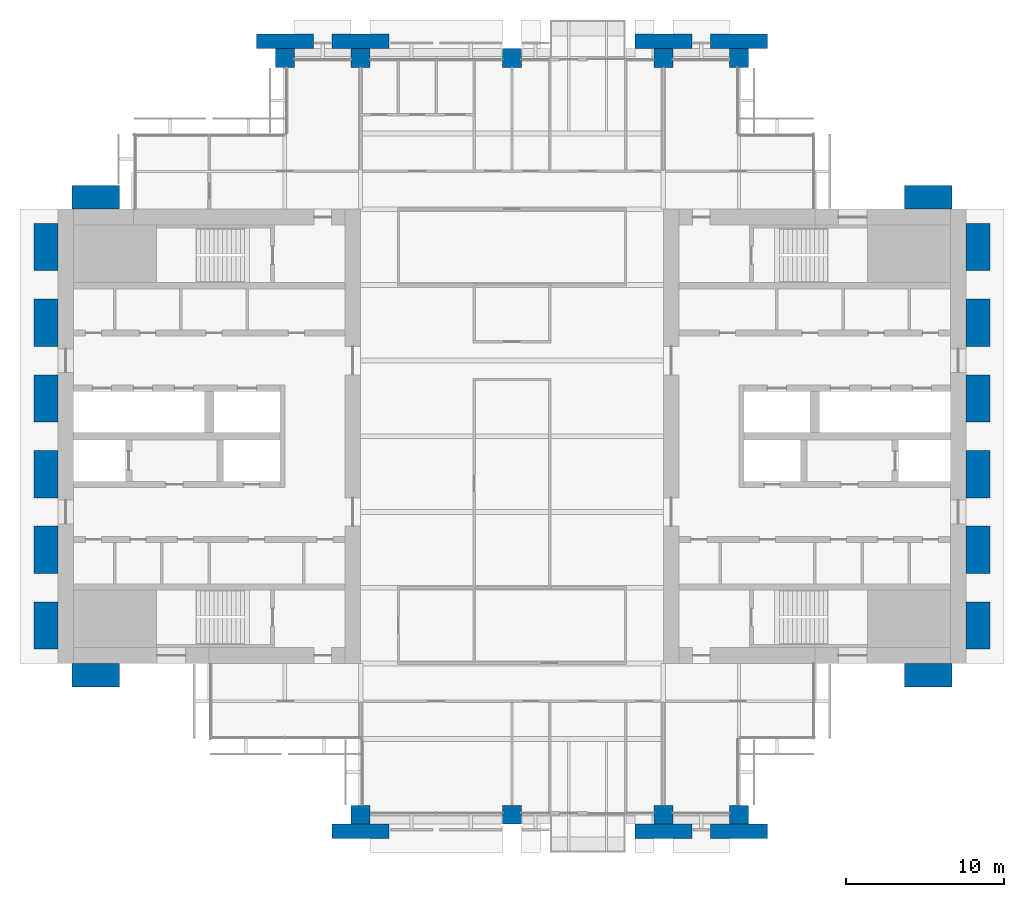
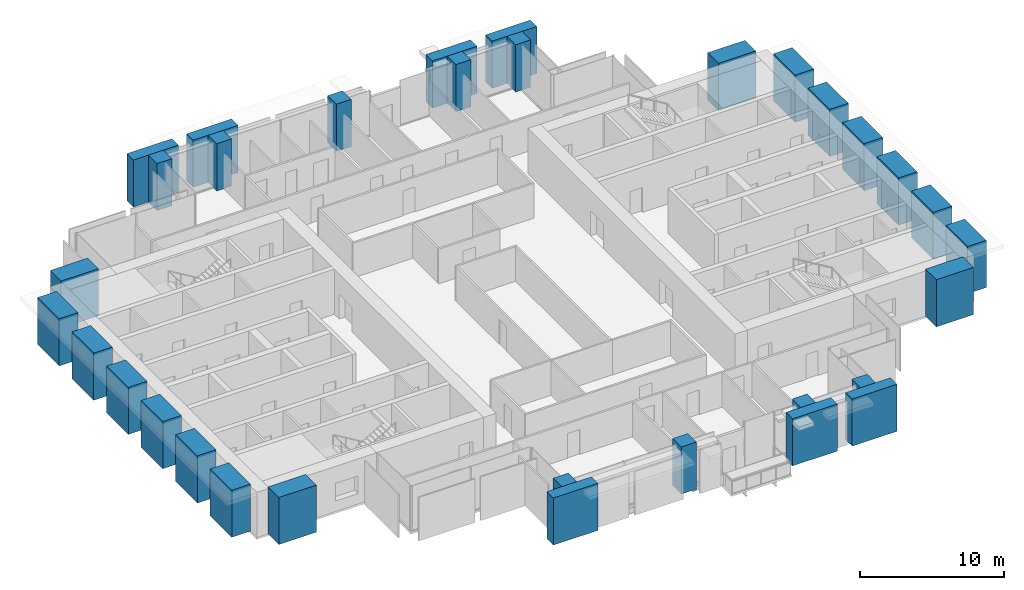
# One storey, part 1 of 15: 32 columns.
"""IFC4 building model written with IfcOpenShell, lengths in metres."""

from ifc_helpers import new_model, si_unit, direction, frame, origin, origin_2d, place, context, subcontext, project, spatial, rectangle, extrude, material, material_profile, profile_set, type_object, element, save


model = new_model("IFC4")

# Units and contexts
model_context = context("Model", 3, precision=1e-05, world=origin(), true_north=direction((0.0, 1.0)))
body_context = subcontext(model_context, "Body", "Model", "MODEL_VIEW")
ifc_project = project(units=[si_unit("LENGTHUNIT", "METRE"), si_unit("AREAUNIT", "SQUARE_METRE"), si_unit("VOLUMEUNIT", "CUBIC_METRE"), si_unit("PLANEANGLEUNIT", "RADIAN"), si_unit("MASSUNIT", "GRAM", prefix="KILO")], contexts=[model_context])

# Site, building, storey
site_placement = place(None, origin())
site = spatial("IfcSite", under=ifc_project, at=site_placement, CompositionType="ELEMENT")
building_placement = place(site_placement, origin())
building = spatial("IfcBuilding", under=site, at=building_placement, Name="Baori Bourse Tower", CompositionType="ELEMENT")
storey_placement = place(building_placement, frame((0.0, 0.0, 164.10009765625)))
storey = spatial("IfcBuildingStorey", under=building, at=storey_placement, Name="L36", CompositionType="ELEMENT", Elevation=164.10009765625)

# Columns
ifc_material_1 = material(Name="Concrete f'c 60 MPa", Category="concrete")
ifc_material_profile_1 = material_profile(ifc_material_1, rectangle(XDim=3.60009765625, YDim=0.89990234375, at=origin_2d()), Name="RC 3600x900")
ifc_profile_set_1 = profile_set([ifc_material_profile_1], Name="Concrete f'c 60 MPa")
column_type_1 = type_object("IfcColumnType", Name="FN3 Brick pilaster 3600x900", PredefinedType="PILASTER", material=ifc_profile_set_1)
for number, where, z_axis, x_axis, name in (
    (1, (19.199951171875, -1.050048828125, 0.0), (0.0, 0.0, 1.0), (1.0, 0.0, 0.0), "Brick pilaster L36 17"),
    (2, (38.39990234375, -1.050048828125, 0.0), (0.0, 0.0, 1.0), (1.0, 0.0, 0.0), "Brick pilaster L36 18"),
    (3, (43.199951171875, -1.050048828125, 0.0), (0.0, 0.0, 1.0), (1.0, 0.0, 0.0), "Brick pilaster L36 19"),
    (4, (14.39990234375, 49.050048828125, 0.0), (0.0, 0.0, 1.0), (1.0, 0.0, 0.0), "Brick pilaster L36 20"),
    (5, (19.199951171875, 49.050048828125, 0.0), (0.0, 0.0, 1.0), (1.0, 0.0, 0.0), "Brick pilaster L36 21"),
    (6, (38.39990234375, 49.050048828125, 0.0), (0.0, 0.0, 1.0), (1.0, 0.0, 0.0), "Brick pilaster L36 22"),
    (7, (43.199951171875, 49.050048828125, 0.0), (0.0, 0.0, 1.0), (1.0, 0.0, 0.0), "Brick pilaster L36 23"),
):
    element("IfcColumn", number, at=place(storey_placement, frame(where, z_axis=z_axis, x_axis=x_axis)), inside=storey, type_object=column_type_1, Name=name, PredefinedType="PILASTER", context=body_context, shape_type="SweptSolid", body=[
        extrude(rectangle(XDim=3.60009765625, YDim=0.89990234375, at=origin_2d()), origin(), (0.0, 0.0, 1.0), 4.0),
    ])
ifc_material_2 = material(Name="Concrete f'c 60 MPa", Category="concrete")
ifc_material_profile_2 = material_profile(ifc_material_2, rectangle(XDim=3.0, YDim=1.5, at=origin_2d()), Name="RC 3000x1500")
ifc_profile_set_2 = profile_set([ifc_material_profile_2], Name="Concrete f'c 60 MPa")
column_type_2 = type_object("IfcColumnType", Name="FN4 Brick flank pilaster 3000x1500", PredefinedType="PILASTER", material=ifc_profile_set_2)
for number, where, z_axis, x_axis, name in (
    (8, (55.199951171875, 8.85009765625, 0.0), (0.0, 0.0, 1.0), (1.0, 0.0, 0.0), "Brick pilaster L36 1"),
    (9, (58.35009765625, 12.0, 0.0), (0.0, 0.0, 1.0), (0.0, 1.0, 0.0), "Brick pilaster L36 2"),
    (10, (58.35009765625, 16.800048828125, 0.0), (0.0, 0.0, 1.0), (0.0, 1.0, 0.0), "Brick pilaster L36 3"),
    (11, (58.35009765625, 21.60009765625, 0.0), (0.0, 0.0, 1.0), (0.0, 1.0, 0.0), "Brick pilaster L36 4"),
    (12, (58.35009765625, 26.39990234375, 0.0), (0.0, 0.0, 1.0), (0.0, 1.0, 0.0), "Brick pilaster L36 5"),
    (13, (58.35009765625, 31.199951171875, 0.0), (0.0, 0.0, 1.0), (0.0, 1.0, 0.0), "Brick pilaster L36 6"),
    (14, (58.35009765625, 36.0, 0.0), (0.0, 0.0, 1.0), (0.0, 1.0, 0.0), "Brick pilaster L36 7"),
    (15, (55.199951171875, 39.14990234375, 0.0), (0.0, 0.0, 1.0), (1.0, 0.0, 0.0), "Brick pilaster L36 8"),
    (16, (2.39990234375, 39.14990234375, 0.0), (0.0, 0.0, 1.0), (1.0, 0.0, 0.0), "Brick pilaster L36 9"),
    (17, (-0.75, 12.0, 0.0), (0.0, 0.0, 1.0), (0.0, 1.0, 0.0), "Brick pilaster L36 10"),
    (18, (-0.75, 16.800048828125, 0.0), (0.0, 0.0, 1.0), (0.0, 1.0, 0.0), "Brick pilaster L36 11"),
    (19, (-0.75, 21.60009765625, 0.0), (0.0, 0.0, 1.0), (0.0, 1.0, 0.0), "Brick pilaster L36 12"),
    (20, (-0.75, 26.39990234375, 0.0), (0.0, 0.0, 1.0), (0.0, 1.0, 0.0), "Brick pilaster L36 13"),
    (21, (-0.75, 31.199951171875, 0.0), (0.0, 0.0, 1.0), (0.0, 1.0, 0.0), "Brick pilaster L36 14"),
    (22, (-0.75, 36.0, 0.0), (0.0, 0.0, 1.0), (0.0, 1.0, 0.0), "Brick pilaster L36 15"),
    (23, (2.39990234375, 8.85009765625, 0.0), (0.0, 0.0, 1.0), (1.0, 0.0, 0.0), "Brick pilaster L36 16"),
):
    element("IfcColumn", number, at=place(storey_placement, frame(where, z_axis=z_axis, x_axis=x_axis)), inside=storey, type_object=column_type_2, Name=name, PredefinedType="PILASTER", context=body_context, shape_type="SweptSolid", body=[
        extrude(rectangle(XDim=3.0, YDim=1.5, at=origin_2d()), origin(), (0.0, 0.0, 1.0), 4.0),
    ])
ifc_material_3 = material(Name="Concrete f'c 60 MPa", Category="concrete")
ifc_material_profile_3 = material_profile(ifc_material_3, rectangle(XDim=1.199951171875, YDim=1.199951171875, at=origin_2d()), Name="RC 1200x1200")
ifc_profile_set_3 = profile_set([ifc_material_profile_3], Name="Concrete f'c 60 MPa")
column_type_3 = type_object("IfcColumnType", Name="Perimeter column 60 RC 1200x1200", PredefinedType="COLUMN", material=ifc_profile_set_3)
for number, where, z_axis, x_axis, name in (
    (24, (19.199951171875, 0.0, 0.0), (0.0, 0.0, 1.0), (1.0, 0.0, 0.0), "Perimeter column L36"),
    (25, (28.800048828125, 0.0, 0.0), (0.0, 0.0, 1.0), (1.0, 0.0, 0.0), "Perimeter column L36"),
    (26, (38.39990234375, 0.0, 0.0), (0.0, 0.0, 1.0), (1.0, 0.0, 0.0), "Perimeter column L36"),
    (27, (43.199951171875, 0.0, 0.0), (0.0, 0.0, 1.0), (1.0, 0.0, 0.0), "Perimeter column L36"),
    (28, (14.39990234375, 48.0, 0.0), (0.0, 0.0, 1.0), (1.0, 0.0, 0.0), "Perimeter column L36"),
    (29, (19.199951171875, 48.0, 0.0), (0.0, 0.0, 1.0), (1.0, 0.0, 0.0), "Perimeter column L36"),
    (30, (28.800048828125, 48.0, 0.0), (0.0, 0.0, 1.0), (1.0, 0.0, 0.0), "Perimeter column L36"),
    (31, (38.39990234375, 48.0, 0.0), (0.0, 0.0, 1.0), (1.0, 0.0, 0.0), "Perimeter column L36"),
    (32, (43.199951171875, 48.0, 0.0), (0.0, 0.0, 1.0), (1.0, 0.0, 0.0), "Perimeter column L36"),
):
    element("IfcColumn", number, at=place(storey_placement, frame(where, z_axis=z_axis, x_axis=x_axis)), inside=storey, type_object=column_type_3, Name=name, PredefinedType="COLUMN", context=body_context, shape_type="SweptSolid", body=[
        extrude(rectangle(XDim=1.199951171875, YDim=1.199951171875, at=origin_2d()), origin(), (0.0, 0.0, 1.0), 4.0),
    ])

save(model, "model.ifc")
